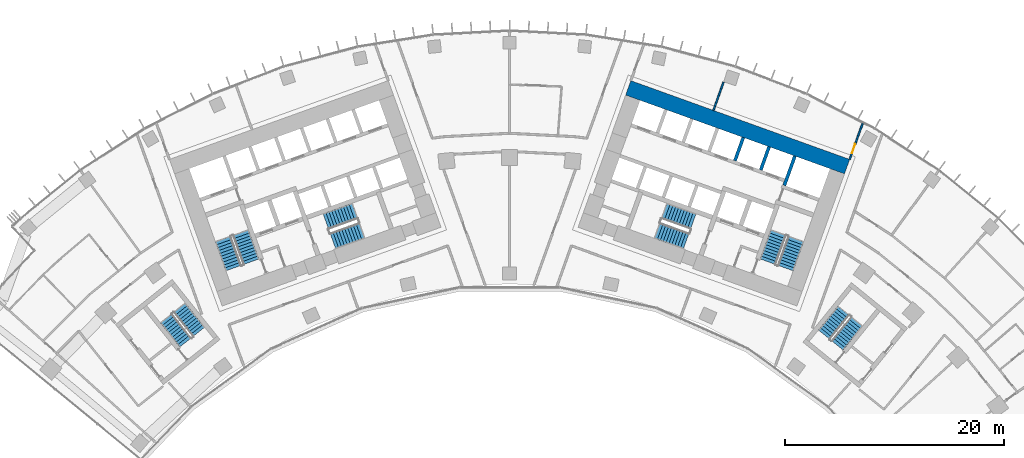
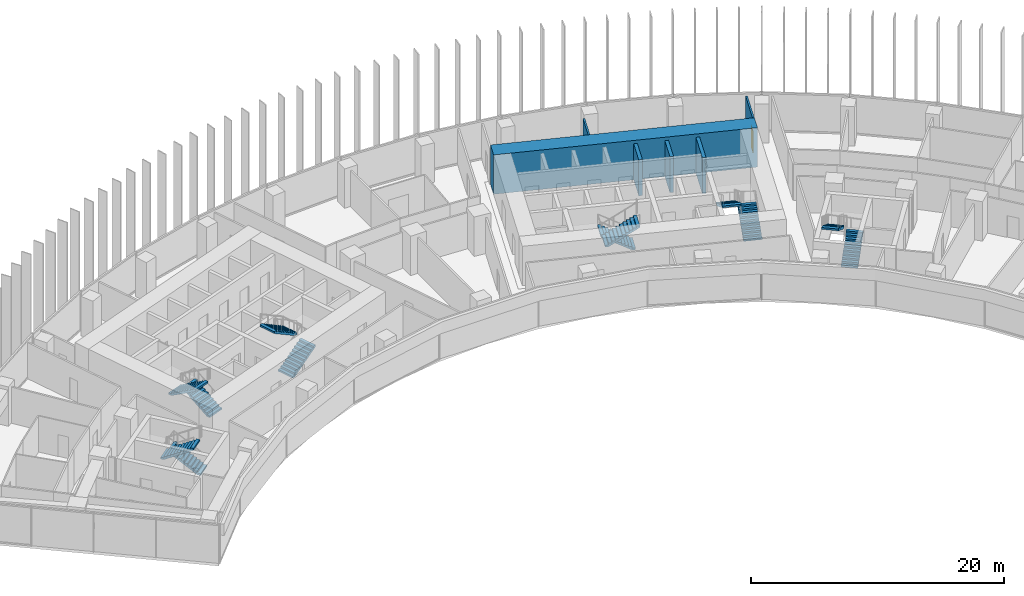
# One storey, part 20 of 22: 12 stair flights, 6 walls, 1 door, 1 opening, 6 elements without a shape of their own.
"""IFC4 building model written with IfcOpenShell, lengths in metres."""

from ifc_helpers import new_model, si_unit, direction, frame, frame_2d, origin, place, context, subcontext, project, spatial, polyline, rectangle, outline, extrude, material, layer, layer_set, type_object, element, fill, aggregate, save


model = new_model("IFC4")

# Units and contexts
model_context = context("Model", 3, precision=1e-05, world=origin(), true_north=direction((0.0, 1.0)))
body_context = subcontext(model_context, "Body", "Model", "MODEL_VIEW")
ifc_project = project(units=[si_unit("LENGTHUNIT", "METRE"), si_unit("AREAUNIT", "SQUARE_METRE"), si_unit("VOLUMEUNIT", "CUBIC_METRE"), si_unit("PLANEANGLEUNIT", "RADIAN"), si_unit("MASSUNIT", "GRAM", prefix="KILO")], contexts=[model_context])

# Site, building, storey
site_placement = place(None, origin())
site = spatial("IfcSite", under=ifc_project, at=site_placement, CompositionType="ELEMENT")
building_placement = place(site_placement, origin())
building = spatial("IfcBuilding", under=site, at=building_placement, Name="Stone Belt Terrace Tower", CompositionType="ELEMENT")
storey_placement = place(building_placement, frame((0.0, 0.0, 109.800048828125)))
storey = spatial("IfcBuildingStorey", under=building, at=storey_placement, Name="L26", CompositionType="ELEMENT", Elevation=109.800048828125)

# Walls
ifc_material_1 = material(Name="Concrete B80", Category="concrete")
ifc_layer_1 = layer(ifc_material_1, 1.39990234375)
ifc_layer_set_1 = layer_set([ifc_layer_1], Name="Core wall 1400 B80")
wall_type_1 = type_object("IfcWallType", Name="Core wall 1400 B80", PredefinedType="SHEAR", material=ifc_layer_set_1)
wall_1_placement = place(storey_placement, frame((10.81787109375, 61.362060546875, 0.0), z_axis=(0.0, 0.0, 1.0), x_axis=(0.940919704758, -0.338629752382, 0.0)))
element("IfcWall", 1, at=wall_1_placement, inside=storey, type_object=wall_type_1, Name="Core B wall convex L26", PredefinedType="SHEAR", context=body_context, shape_type="SweptSolid", body=[
    extrude(rectangle(XDim=21.199951171875, YDim=1.39990234375, at=frame_2d((10.60009765625, 0.0))), origin(), (0.0, 0.0, 1.0), 3.800048828125),
])
ifc_layer_2 = layer(ifc_material_1, 0.300048828125)
ifc_layer_set_2 = layer_set([ifc_layer_2], Name="Lift shaft wall 300")
wall_type_2 = type_object("IfcWallType", Name="Lift shaft wall 300", PredefinedType="SHEAR", material=ifc_layer_set_2)
wall_2_placement = place(storey_placement, frame((25.046875, 52.46826171875, 0.0), z_axis=(0.0, 0.0, 1.0), x_axis=(0.338549588058, 0.940948551423, 0.0)))
element("IfcWall", 2, at=wall_2_placement, inside=storey, type_object=wall_type_2, Name="Core B wall", PredefinedType="SHEAR", context=body_context, shape_type="SweptSolid", body=[
    extrude(rectangle(XDim=2.849853515625, YDim=0.300048828125, at=frame_2d((1.4248046875, 0.0))), origin(), (0.0, 0.0, 1.0), 3.47998046875),
])
wall_3_placement = place(storey_placement, frame((22.897705078125, 53.87939453125, 0.0), z_axis=(0.0, 0.0, 1.0), x_axis=(0.338535034312, 0.940953787677, 0.0)))
element("IfcWall", 3, at=wall_3_placement, inside=storey, type_object=wall_type_2, Name="Core B wall", PredefinedType="SHEAR", context=body_context, shape_type="SweptSolid", body=[
    extrude(rectangle(XDim=2.25, YDim=0.300048828125, at=frame_2d((1.125, 0.0))), origin(), (0.0, 0.0, 1.0), 3.47998046875),
])
wall_4_placement = place(storey_placement, frame((20.54541015625, 54.72607421875, 0.0), z_axis=(0.0, 0.0, 1.0), x_axis=(0.338569601369, 0.940941350472, 0.0)))
element("IfcWall", 4, at=wall_4_placement, inside=storey, type_object=wall_type_2, Name="Core B wall", PredefinedType="SHEAR", context=body_context, shape_type="SweptSolid", body=[
    extrude(rectangle(XDim=2.249755859375, YDim=0.300048828125, at=frame_2d((1.125, 0.0))), origin(), (0.0, 0.0, 1.0), 3.47998046875),
])

# Wall, opening, door
ifc_material_2 = material(Name="Gypsum board partition")
ifc_layer_3 = layer(ifc_material_2, 0.14990234375)
ifc_layer_set_3 = layer_set([ifc_layer_3], Name="PARTITION 150 EI 60")
wall_type_3 = type_object("IfcWallType", Name="PARTITION 150 EI 60", PredefinedType="PARTITIONING", material=ifc_layer_set_3)
wall_5_placement = place(storey_placement, frame((31.001953125, 54.842041015625, 0.0), z_axis=(0.0, 0.0, 1.0), x_axis=(0.338662585219, 0.940907887826, 0.0)))
wall_5 = element("IfcWall", 5, at=wall_5_placement, inside=storey, type_object=wall_type_3, Name="L26/wall/i019", PredefinedType="PARTITIONING", context=body_context, shape_type="SweptSolid", body=[
    extrude(rectangle(XDim=3.49560546875, YDim=0.14990234375, at=frame_2d((1.747802734375, 0.0))), origin(), (0.0, 0.0, 1.0), 3.47998046875),
])
opening_placement = place(wall_5_placement, frame((0.599365234375, 0.0, 0.0)))
opening = element("IfcOpeningElement", 6, at=opening_placement, cuts=wall_5, Name="Opening D-B3-08", PredefinedType="OPENING", context=body_context, shape_type="SweptSolid", body=[
    extrude(rectangle(XDim=0.89990234375, YDim=2.10009765625, at=frame_2d((0.449951171875, 1.050048828125))), frame((0.0, 0.0849609375, 0.0), z_axis=(0.0, -1.0, 0.0), x_axis=(1.0, 0.0, 0.0)), (0.0, 0.0, 1.0), 0.169921875),
])
ifc_material_3 = material(Name="Timber door leaf", Category="wood")
door_type = type_object("IfcDoorType", Name="OFFICE DOOR 900 X 2100", OperationType="NOTDEFINED", PredefinedType="DOOR", material=ifc_material_3)
door_placement = place(opening_placement, origin())
door = element("IfcDoor", 7, at=door_placement, inside=storey, type_object=door_type, Name="L26/door/i08", OperationType="SINGLE_SWING_LEFT", OverallHeight=2.10009765625, OverallWidth=0.89990234375, PredefinedType="DOOR", context=body_context, shape_type="SweptSolid", body=[
    extrude(rectangle(XDim=0.89990234375, YDim=2.10009765625, at=frame_2d((0.449951171875, 1.050048828125))), frame((0.0, 0.02490234375, 0.0), z_axis=(0.0, -1.0, 0.0), x_axis=(1.0, 0.0, 0.0)), (0.0, 0.0, 1.0), 0.050048828125),
])
fill(opening, door)

# Wall
wall_6_placement = place(storey_placement, frame((19.505859375, 61.885009765625, 0.0), z_axis=(0.0, 0.0, 1.0), x_axis=(-0.338672028619, -0.940904488793, 0.0)))
element("IfcWall", 8, at=wall_6_placement, inside=storey, type_object=wall_type_3, Name="L26/wall/i027", PredefinedType="PARTITIONING", context=body_context, shape_type="SweptSolid", body=[
    extrude(rectangle(XDim=2.733642578125, YDim=0.14990234375, at=frame_2d((1.36669921875, 0.0))), origin(), (0.0, 0.0, 1.0), 3.47998046875),
])

# Stair, stair flights
ifc_material_4 = material(Name="Concrete B40", Category="concrete")
stair_type = type_object("IfcStairType", Name="Exit stair 1500", PredefinedType="HALF_TURN_STAIR", material=ifc_material_4)
stair_1_placement = place(storey_placement, origin())
stair_1 = element("IfcStair", 9, at=stair_1_placement, inside=storey, type_object=stair_type, Name="L26 Exit stair 1 core A", PredefinedType="HALF_TURN_STAIR")
stair_flight_type = type_object("IfcStairFlightType", Name="Stair flight 1500", PredefinedType="STRAIGHT", material=ifc_material_4)
stair_flight_1_placement = place(storey_placement, frame((-23.55322265625, 45.51318359375, 0.0), z_axis=(0.0, 0.0, 1.0), x_axis=(-0.338624396177, 0.940921632398, 0.0)))
stair_flight_1 = element("IfcStairFlight", 10, at=stair_flight_1_placement, type_object=stair_flight_type, Name="ST1A flight 1", NumberOfRisers=11, NumberOfTreads=10, PredefinedType="STRAIGHT", RiserHeight=0.172727273, TreadLength=0.28, context=body_context, shape_type="SweptSolid", body=[
    extrude(outline(polyline([(0.0, 0.0), (0.0, 0.172607421875), (0.280029296875, 0.172607421875), (0.280029296875, 0.345458984375), (0.56005859375, 0.345458984375), (0.56005859375, 0.51806640625), (0.840087890625, 0.51806640625), (0.840087890625, 0.69091796875), (1.1201171875, 0.69091796875), (1.1201171875, 0.863525390625), (1.39990234375, 0.863525390625), (1.39990234375, 1.036376953125), (1.679931640625, 1.036376953125), (1.679931640625, 1.208984375), (1.9599609375, 1.208984375), (1.9599609375, 1.3818359375), (2.239990234375, 1.3818359375), (2.239990234375, 1.554443359375), (2.52001953125, 1.554443359375), (2.52001953125, 1.727294921875), (2.800048828125, 1.727294921875), (2.800048828125, 1.89990234375), (2.800048828125, 1.551025390625), (0.285400390625, 0.0), (0.0, 0.0)])), frame((0.0, 0.75, 0.0), z_axis=(0.0, -1.0, 0.0), x_axis=(1.0, 0.0, 0.0)), (0.0, 0.0, 1.0), 1.5),
])
stair_flight_2_placement = place(storey_placement, frame((-26.10107421875, 47.572021484375, 1.89990234375), z_axis=(0.0, 0.0, 1.0), x_axis=(0.338624396177, -0.940921632398, 0.0)))
stair_flight_2 = element("IfcStairFlight", 11, at=stair_flight_2_placement, type_object=stair_flight_type, Name="ST1A flight 2", NumberOfRisers=11, NumberOfTreads=10, PredefinedType="STRAIGHT", RiserHeight=0.172727273, TreadLength=0.28, context=body_context, shape_type="SweptSolid", body=[
    extrude(outline(polyline([(0.0, 0.0), (0.0, 0.172607421875), (0.280029296875, 0.172607421875), (0.280029296875, 0.345458984375), (0.56005859375, 0.345458984375), (0.56005859375, 0.51806640625), (0.840087890625, 0.51806640625), (0.840087890625, 0.69091796875), (1.1201171875, 0.69091796875), (1.1201171875, 0.863525390625), (1.39990234375, 0.863525390625), (1.39990234375, 1.036376953125), (1.679931640625, 1.036376953125), (1.679931640625, 1.208984375), (1.9599609375, 1.208984375), (1.9599609375, 1.3818359375), (2.239990234375, 1.3818359375), (2.239990234375, 1.554443359375), (2.52001953125, 1.554443359375), (2.52001953125, 1.727294921875), (2.800048828125, 1.727294921875), (2.800048828125, 1.89990234375), (2.800048828125, 1.551025390625), (0.285400390625, 0.0), (0.0, 0.0)])), frame((0.0, 0.75, 0.0), z_axis=(0.0, -1.0, 0.0), x_axis=(1.0, 0.0, 0.0)), (0.0, 0.0, 1.0), 1.5),
])
aggregate(stair_1, [stair_flight_1, stair_flight_2])

stair_2_placement = place(storey_placement, origin())
stair_2 = element("IfcStair", 12, at=stair_2_placement, inside=storey, type_object=stair_type, Name="L26 Exit stair 2 core A", PredefinedType="HALF_TURN_STAIR")
stair_flight_3_placement = place(storey_placement, frame((-16.101318359375, 47.39794921875, 0.0), z_axis=(0.0, 0.0, 1.0), x_axis=(0.940921632398, 0.338624396177, 0.0)))
stair_flight_3 = element("IfcStairFlight", 13, at=stair_flight_3_placement, type_object=stair_flight_type, Name="ST2A flight 1", NumberOfRisers=11, NumberOfTreads=10, PredefinedType="STRAIGHT", RiserHeight=0.172727273, TreadLength=0.28, context=body_context, shape_type="SweptSolid", body=[
    extrude(outline(polyline([(0.0, 0.0), (0.0, 0.172607421875), (0.280029296875, 0.172607421875), (0.280029296875, 0.345458984375), (0.56005859375, 0.345458984375), (0.56005859375, 0.51806640625), (0.840087890625, 0.51806640625), (0.840087890625, 0.69091796875), (1.1201171875, 0.69091796875), (1.1201171875, 0.863525390625), (1.39990234375, 0.863525390625), (1.39990234375, 1.036376953125), (1.679931640625, 1.036376953125), (1.679931640625, 1.208984375), (1.9599609375, 1.208984375), (1.9599609375, 1.3818359375), (2.239990234375, 1.3818359375), (2.239990234375, 1.554443359375), (2.52001953125, 1.554443359375), (2.52001953125, 1.727294921875), (2.800048828125, 1.727294921875), (2.800048828125, 1.89990234375), (2.800048828125, 1.551025390625), (0.285400390625, 0.0), (0.0, 0.0)])), frame((0.0, 0.75, 0.0), z_axis=(0.0, -1.0, 0.0), x_axis=(1.0, 0.0, 0.0)), (0.0, 0.0, 1.0), 1.5),
])
stair_flight_4_placement = place(storey_placement, frame((-14.110107421875, 50.1337890625, 1.89990234375), z_axis=(0.0, 0.0, 1.0), x_axis=(-0.940921632398, -0.338624396177, 0.0)))
stair_flight_4 = element("IfcStairFlight", 14, at=stair_flight_4_placement, type_object=stair_flight_type, Name="ST2A flight 2", NumberOfRisers=11, NumberOfTreads=10, PredefinedType="STRAIGHT", RiserHeight=0.172727273, TreadLength=0.28, context=body_context, shape_type="SweptSolid", body=[
    extrude(outline(polyline([(0.0, 0.0), (0.0, 0.172607421875), (0.280029296875, 0.172607421875), (0.280029296875, 0.345458984375), (0.56005859375, 0.345458984375), (0.56005859375, 0.51806640625), (0.840087890625, 0.51806640625), (0.840087890625, 0.69091796875), (1.1201171875, 0.69091796875), (1.1201171875, 0.863525390625), (1.39990234375, 0.863525390625), (1.39990234375, 1.036376953125), (1.679931640625, 1.036376953125), (1.679931640625, 1.208984375), (1.9599609375, 1.208984375), (1.9599609375, 1.3818359375), (2.239990234375, 1.3818359375), (2.239990234375, 1.554443359375), (2.52001953125, 1.554443359375), (2.52001953125, 1.727294921875), (2.800048828125, 1.727294921875), (2.800048828125, 1.89990234375), (2.800048828125, 1.551025390625), (0.285400390625, 0.0), (0.0, 0.0)])), frame((0.0, 0.75, 0.0), z_axis=(0.0, -1.0, 0.0), x_axis=(1.0, 0.0, 0.0)), (0.0, 0.0, 1.0), 1.5),
])
aggregate(stair_2, [stair_flight_3, stair_flight_4])

stair_3_placement = place(storey_placement, origin())
stair_3 = element("IfcStair", 15, at=stair_3_placement, inside=storey, type_object=stair_type, Name="L26 Exit stair 1 core B", PredefinedType="HALF_TURN_STAIR")
stair_flight_5_placement = place(storey_placement, frame((25.15283203125, 44.9375, 0.0), z_axis=(0.0, 0.0, 1.0), x_axis=(0.338624396177, 0.940921632398, 0.0)))
stair_flight_5 = element("IfcStairFlight", 16, at=stair_flight_5_placement, type_object=stair_flight_type, Name="ST1B flight 1", NumberOfRisers=11, NumberOfTreads=10, PredefinedType="STRAIGHT", RiserHeight=0.172727273, TreadLength=0.28, context=body_context, shape_type="SweptSolid", body=[
    extrude(outline(polyline([(0.0, 0.0), (0.0, 0.172607421875), (0.280029296875, 0.172607421875), (0.280029296875, 0.345458984375), (0.56005859375, 0.345458984375), (0.56005859375, 0.51806640625), (0.840087890625, 0.51806640625), (0.840087890625, 0.69091796875), (1.1201171875, 0.69091796875), (1.1201171875, 0.863525390625), (1.39990234375, 0.863525390625), (1.39990234375, 1.036376953125), (1.679931640625, 1.036376953125), (1.679931640625, 1.208984375), (1.9599609375, 1.208984375), (1.9599609375, 1.3818359375), (2.239990234375, 1.3818359375), (2.239990234375, 1.554443359375), (2.52001953125, 1.554443359375), (2.52001953125, 1.727294921875), (2.800048828125, 1.727294921875), (2.800048828125, 1.89990234375), (2.800048828125, 1.551025390625), (0.285400390625, 0.0), (0.0, 0.0)])), frame((0.0, 0.75, 0.0), z_axis=(0.0, -1.0, 0.0), x_axis=(1.0, 0.0, 0.0)), (0.0, 0.0, 1.0), 1.5),
])
stair_flight_6_placement = place(storey_placement, frame((24.50146484375, 48.147705078125, 1.89990234375), z_axis=(0.0, 0.0, 1.0), x_axis=(-0.338624396177, -0.940921632398, 0.0)))
stair_flight_6 = element("IfcStairFlight", 17, at=stair_flight_6_placement, type_object=stair_flight_type, Name="ST1B flight 2", NumberOfRisers=11, NumberOfTreads=10, PredefinedType="STRAIGHT", RiserHeight=0.172727273, TreadLength=0.28, context=body_context, shape_type="SweptSolid", body=[
    extrude(outline(polyline([(0.0, 0.0), (0.0, 0.172607421875), (0.280029296875, 0.172607421875), (0.280029296875, 0.345458984375), (0.56005859375, 0.345458984375), (0.56005859375, 0.51806640625), (0.840087890625, 0.51806640625), (0.840087890625, 0.69091796875), (1.1201171875, 0.69091796875), (1.1201171875, 0.863525390625), (1.39990234375, 0.863525390625), (1.39990234375, 1.036376953125), (1.679931640625, 1.036376953125), (1.679931640625, 1.208984375), (1.9599609375, 1.208984375), (1.9599609375, 1.3818359375), (2.239990234375, 1.3818359375), (2.239990234375, 1.554443359375), (2.52001953125, 1.554443359375), (2.52001953125, 1.727294921875), (2.800048828125, 1.727294921875), (2.800048828125, 1.89990234375), (2.800048828125, 1.551025390625), (0.285400390625, 0.0), (0.0, 0.0)])), frame((0.0, 0.75, 0.0), z_axis=(0.0, -1.0, 0.0), x_axis=(1.0, 0.0, 0.0)), (0.0, 0.0, 1.0), 1.5),
])
aggregate(stair_3, [stair_flight_5, stair_flight_6])

stair_4_placement = place(storey_placement, origin())
stair_4 = element("IfcStair", 18, at=stair_4_placement, inside=storey, type_object=stair_type, Name="L26 Exit stair 2 core B", PredefinedType="HALF_TURN_STAIR")
stair_flight_7_placement = place(storey_placement, frame((16.74462890625, 49.185546875, 0.0), z_axis=(0.0, 0.0, 1.0), x_axis=(-0.940921632398, 0.338624396177, 0.0)))
stair_flight_7 = element("IfcStairFlight", 19, at=stair_flight_7_placement, type_object=stair_flight_type, Name="ST2B flight 1", NumberOfRisers=11, NumberOfTreads=10, PredefinedType="STRAIGHT", RiserHeight=0.172727273, TreadLength=0.28, context=body_context, shape_type="SweptSolid", body=[
    extrude(outline(polyline([(0.0, 0.0), (0.0, 0.172607421875), (0.280029296875, 0.172607421875), (0.280029296875, 0.345458984375), (0.56005859375, 0.345458984375), (0.56005859375, 0.51806640625), (0.840087890625, 0.51806640625), (0.840087890625, 0.69091796875), (1.1201171875, 0.69091796875), (1.1201171875, 0.863525390625), (1.39990234375, 0.863525390625), (1.39990234375, 1.036376953125), (1.679931640625, 1.036376953125), (1.679931640625, 1.208984375), (1.9599609375, 1.208984375), (1.9599609375, 1.3818359375), (2.239990234375, 1.3818359375), (2.239990234375, 1.554443359375), (2.52001953125, 1.554443359375), (2.52001953125, 1.727294921875), (2.800048828125, 1.727294921875), (2.800048828125, 1.89990234375), (2.800048828125, 1.551025390625), (0.285400390625, 0.0), (0.0, 0.0)])), frame((0.0, 0.75, 0.0), z_axis=(0.0, -1.0, 0.0), x_axis=(1.0, 0.0, 0.0)), (0.0, 0.0, 1.0), 1.5),
])
stair_flight_8_placement = place(storey_placement, frame((13.466796875, 48.345947265625, 1.89990234375), z_axis=(0.0, 0.0, 1.0), x_axis=(0.940921632398, -0.338624396177, 0.0)))
stair_flight_8 = element("IfcStairFlight", 20, at=stair_flight_8_placement, type_object=stair_flight_type, Name="ST2B flight 2", NumberOfRisers=11, NumberOfTreads=10, PredefinedType="STRAIGHT", RiserHeight=0.172727273, TreadLength=0.28, context=body_context, shape_type="SweptSolid", body=[
    extrude(outline(polyline([(0.0, 0.0), (0.0, 0.172607421875), (0.280029296875, 0.172607421875), (0.280029296875, 0.345458984375), (0.56005859375, 0.345458984375), (0.56005859375, 0.51806640625), (0.840087890625, 0.51806640625), (0.840087890625, 0.69091796875), (1.1201171875, 0.69091796875), (1.1201171875, 0.863525390625), (1.39990234375, 0.863525390625), (1.39990234375, 1.036376953125), (1.679931640625, 1.036376953125), (1.679931640625, 1.208984375), (1.9599609375, 1.208984375), (1.9599609375, 1.3818359375), (2.239990234375, 1.3818359375), (2.239990234375, 1.554443359375), (2.52001953125, 1.554443359375), (2.52001953125, 1.727294921875), (2.800048828125, 1.727294921875), (2.800048828125, 1.89990234375), (2.800048828125, 1.551025390625), (0.285400390625, 0.0), (0.0, 0.0)])), frame((0.0, 0.75, 0.0), z_axis=(0.0, -1.0, 0.0), x_axis=(1.0, 0.0, 0.0)), (0.0, 0.0, 1.0), 1.5),
])
aggregate(stair_4, [stair_flight_7, stair_flight_8])

stair_5_placement = place(storey_placement, origin())
stair_5 = element("IfcStair", 21, at=stair_5_placement, inside=storey, type_object=stair_type, Name="L26 Exit stair 3A", PredefinedType="HALF_TURN_STAIR")
stair_flight_9_placement = place(storey_placement, frame((-28.325439453125, 39.1240234375, 0.0), z_axis=(0.0, 0.0, 1.0), x_axis=(-0.623121363691, 0.782125160132, 0.0)))
stair_flight_9 = element("IfcStairFlight", 22, at=stair_flight_9_placement, type_object=stair_flight_type, Name="ST3A flight 1", NumberOfRisers=11, NumberOfTreads=10, PredefinedType="STRAIGHT", RiserHeight=0.172727273, TreadLength=0.28, context=body_context, shape_type="SweptSolid", body=[
    extrude(outline(polyline([(0.0, 0.0), (0.0, 0.172607421875), (0.280029296875, 0.172607421875), (0.280029296875, 0.345458984375), (0.56005859375, 0.345458984375), (0.56005859375, 0.51806640625), (0.840087890625, 0.51806640625), (0.840087890625, 0.69091796875), (1.1201171875, 0.69091796875), (1.1201171875, 0.863525390625), (1.39990234375, 0.863525390625), (1.39990234375, 1.036376953125), (1.679931640625, 1.036376953125), (1.679931640625, 1.208984375), (1.9599609375, 1.208984375), (1.9599609375, 1.3818359375), (2.239990234375, 1.3818359375), (2.239990234375, 1.554443359375), (2.52001953125, 1.554443359375), (2.52001953125, 1.727294921875), (2.800048828125, 1.727294921875), (2.800048828125, 1.89990234375), (2.800048828125, 1.551025390625), (0.285400390625, 0.0), (0.0, 0.0)])), frame((0.0, 0.675048828125, 0.0), z_axis=(0.0, -1.0, 0.0), x_axis=(1.0, 0.0, 0.0)), (0.0, 0.0, 1.0), 1.35009765625),
])
stair_flight_10_placement = place(storey_placement, frame((-31.282470703125, 40.34814453125, 1.89990234375), z_axis=(0.0, 0.0, 1.0), x_axis=(0.623121363691, -0.782125160132, 0.0)))
stair_flight_10 = element("IfcStairFlight", 23, at=stair_flight_10_placement, type_object=stair_flight_type, Name="ST3A flight 2", NumberOfRisers=11, NumberOfTreads=10, PredefinedType="STRAIGHT", RiserHeight=0.172727273, TreadLength=0.28, context=body_context, shape_type="SweptSolid", body=[
    extrude(outline(polyline([(0.0, 0.0), (0.0, 0.172607421875), (0.280029296875, 0.172607421875), (0.280029296875, 0.345458984375), (0.56005859375, 0.345458984375), (0.56005859375, 0.51806640625), (0.840087890625, 0.51806640625), (0.840087890625, 0.69091796875), (1.1201171875, 0.69091796875), (1.1201171875, 0.863525390625), (1.39990234375, 0.863525390625), (1.39990234375, 1.036376953125), (1.679931640625, 1.036376953125), (1.679931640625, 1.208984375), (1.9599609375, 1.208984375), (1.9599609375, 1.3818359375), (2.239990234375, 1.3818359375), (2.239990234375, 1.554443359375), (2.52001953125, 1.554443359375), (2.52001953125, 1.727294921875), (2.800048828125, 1.727294921875), (2.800048828125, 1.89990234375), (2.800048828125, 1.551025390625), (0.285400390625, 0.0), (0.0, 0.0)])), frame((0.0, 0.675048828125, 0.0), z_axis=(0.0, -1.0, 0.0), x_axis=(1.0, 0.0, 0.0)), (0.0, 0.0, 1.0), 1.35009765625),
])
aggregate(stair_5, [stair_flight_9, stair_flight_10])

stair_6_placement = place(storey_placement, origin())
stair_6 = element("IfcStair", 24, at=stair_6_placement, inside=storey, type_object=stair_type, Name="L26 Exit stair 3B", PredefinedType="HALF_TURN_STAIR")
stair_flight_11_placement = place(storey_placement, frame((29.88330078125, 37.887939453125, 0.0), z_axis=(0.0, 0.0, 1.0), x_axis=(0.630205749599, 0.776428176441, 0.0)))
stair_flight_11 = element("IfcStairFlight", 25, at=stair_flight_11_placement, type_object=stair_flight_type, Name="ST3B flight 1", NumberOfRisers=11, NumberOfTreads=10, PredefinedType="STRAIGHT", RiserHeight=0.172727273, TreadLength=0.28, context=body_context, shape_type="SweptSolid", body=[
    extrude(outline(polyline([(0.0, 0.0), (0.0, 0.172607421875), (0.280029296875, 0.172607421875), (0.280029296875, 0.345458984375), (0.56005859375, 0.345458984375), (0.56005859375, 0.51806640625), (0.840087890625, 0.51806640625), (0.840087890625, 0.69091796875), (1.1201171875, 0.69091796875), (1.1201171875, 0.863525390625), (1.39990234375, 0.863525390625), (1.39990234375, 1.036376953125), (1.679931640625, 1.036376953125), (1.679931640625, 1.208984375), (1.9599609375, 1.208984375), (1.9599609375, 1.3818359375), (2.239990234375, 1.3818359375), (2.239990234375, 1.554443359375), (2.52001953125, 1.554443359375), (2.52001953125, 1.727294921875), (2.800048828125, 1.727294921875), (2.800048828125, 1.89990234375), (2.800048828125, 1.551025390625), (0.285400390625, 0.0), (0.0, 0.0)])), frame((0.0, 0.675048828125, 0.0), z_axis=(0.0, -1.0, 0.0), x_axis=(1.0, 0.0, 0.0)), (0.0, 0.0, 1.0), 1.35009765625),
])
stair_flight_12_placement = place(storey_placement, frame((30.4443359375, 41.038818359375, 1.89990234375), z_axis=(0.0, 0.0, 1.0), x_axis=(-0.630205749599, -0.776428176441, 0.0)))
stair_flight_12 = element("IfcStairFlight", 26, at=stair_flight_12_placement, type_object=stair_flight_type, Name="ST3B flight 2", NumberOfRisers=11, NumberOfTreads=10, PredefinedType="STRAIGHT", RiserHeight=0.172727273, TreadLength=0.28, context=body_context, shape_type="SweptSolid", body=[
    extrude(outline(polyline([(0.0, 0.0), (0.0, 0.172607421875), (0.280029296875, 0.172607421875), (0.280029296875, 0.345458984375), (0.56005859375, 0.345458984375), (0.56005859375, 0.51806640625), (0.840087890625, 0.51806640625), (0.840087890625, 0.69091796875), (1.1201171875, 0.69091796875), (1.1201171875, 0.863525390625), (1.39990234375, 0.863525390625), (1.39990234375, 1.036376953125), (1.679931640625, 1.036376953125), (1.679931640625, 1.208984375), (1.9599609375, 1.208984375), (1.9599609375, 1.3818359375), (2.239990234375, 1.3818359375), (2.239990234375, 1.554443359375), (2.52001953125, 1.554443359375), (2.52001953125, 1.727294921875), (2.800048828125, 1.727294921875), (2.800048828125, 1.89990234375), (2.800048828125, 1.551025390625), (0.285400390625, 0.0), (0.0, 0.0)])), frame((0.0, 0.675048828125, 0.0), z_axis=(0.0, -1.0, 0.0), x_axis=(1.0, 0.0, 0.0)), (0.0, 0.0, 1.0), 1.35009765625),
])
aggregate(stair_6, [stair_flight_11, stair_flight_12])

save(model, "model.ifc")
